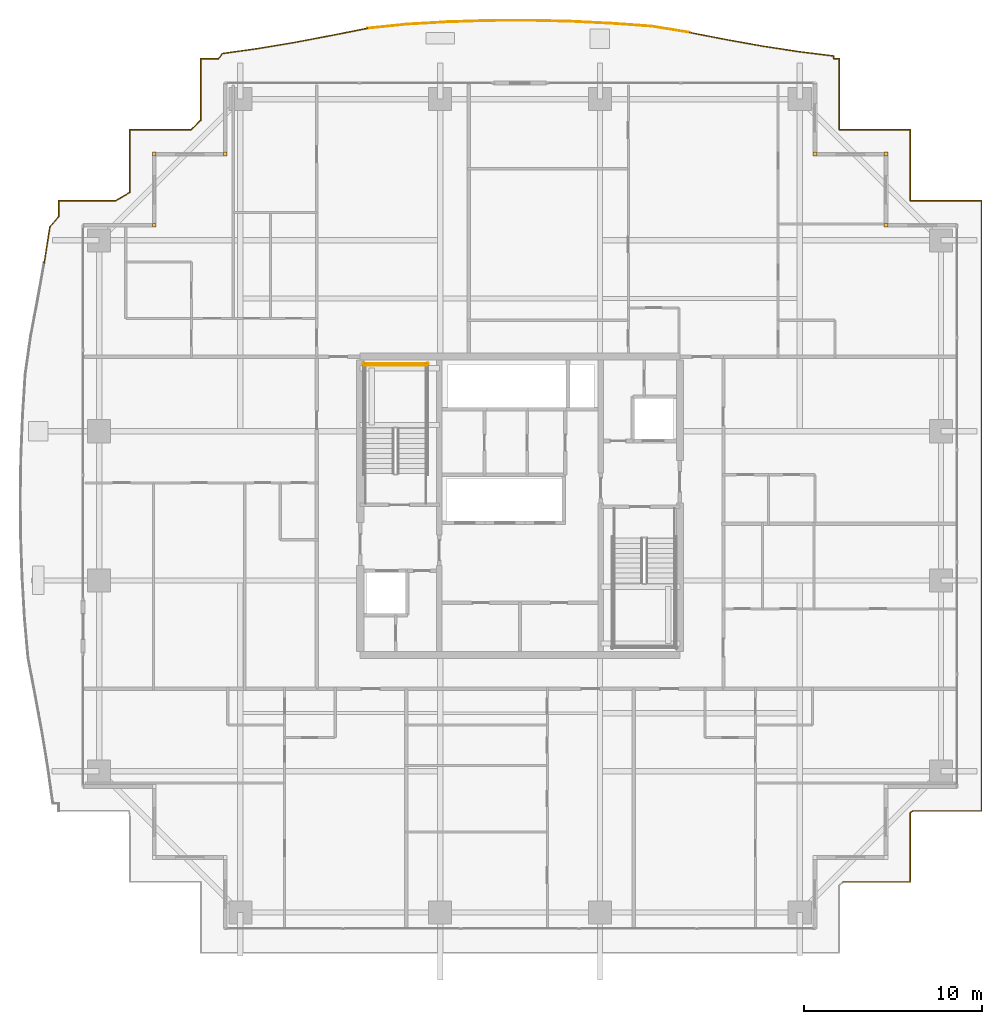
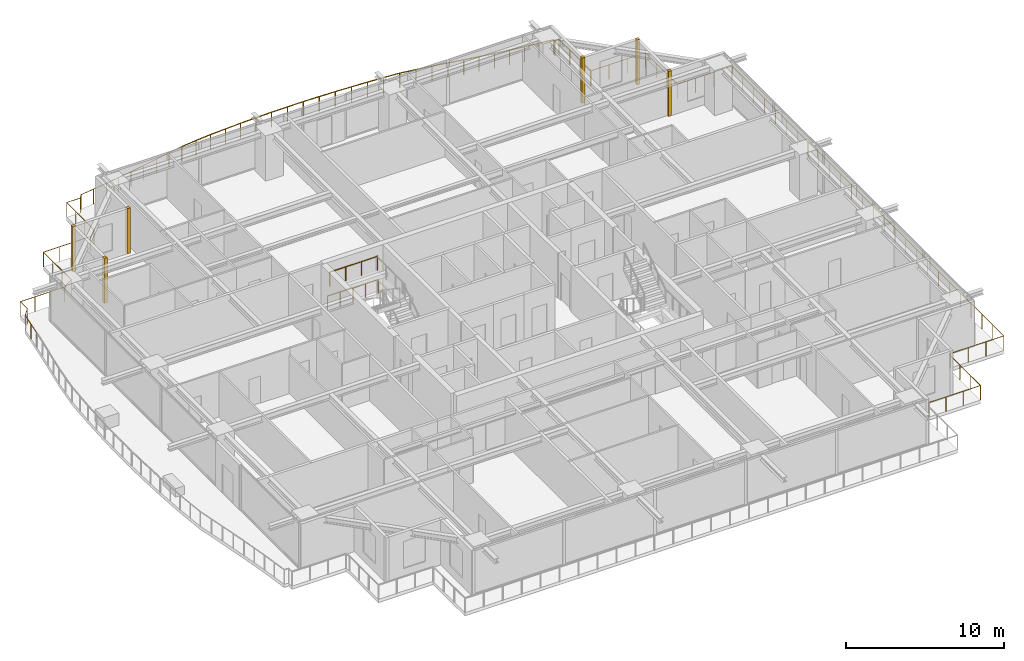
# One storey, part 37 of 37: 7 railings, 6 coverings.
"""IFC4 building model written with IfcOpenShell, lengths in metres."""

from ifc_helpers import new_model, si_unit, direction, frame, origin, origin_2d, place, context, subcontext, project, spatial, rectangle, circle, extrude, source, transform, mapped, material, layer, layer_set, type_object, element, save


model = new_model("IFC4")

# Units and contexts
model_context = context("Model", 3, precision=1e-05, world=origin(), true_north=direction((0.0, 1.0)))
body_context = subcontext(model_context, "Body", "Model", "MODEL_VIEW")
ifc_project = project(units=[si_unit("LENGTHUNIT", "METRE"), si_unit("AREAUNIT", "SQUARE_METRE"), si_unit("VOLUMEUNIT", "CUBIC_METRE"), si_unit("PLANEANGLEUNIT", "RADIAN"), si_unit("MASSUNIT", "GRAM", prefix="KILO")], contexts=[model_context])

# Site, building, storey
site_placement = place(None, origin())
site = spatial("IfcSite", under=ifc_project, at=site_placement, CompositionType="ELEMENT")
building_placement = place(site_placement, origin())
building = spatial("IfcBuilding", under=site, at=building_placement, Name="Serunith Strait Residences", CompositionType="ELEMENT")
storey_placement = place(building_placement, frame((0.0, 0.0, 138.89990234375)))
storey = spatial("IfcBuildingStorey", under=building, at=storey_placement, Name="L34", CompositionType="ELEMENT", Elevation=138.89990234375)

# Railings
ifc_material_1 = material(Name="Stainless Steel & Laminated Glass Balustrade", Category="steel")
railing_type_1 = type_object("IfcRailingType", Name="RLG-BALC-1150", PredefinedType="BALUSTRADE", material=ifc_material_1)
railing_1_placement = place(storey_placement, frame((5.60595703125, 38.887451171875, -0.0498046875)))
element("IfcRailing", 1, at=railing_1_placement, inside=storey, type_object=railing_type_1, Name="L34 Swirling Balcony Perimeter Balustrade 3", PredefinedType="BALUSTRADE", context=body_context, shape_type="SweptSolid", body=[
    extrude(circle(Radius=0.02392578125, at=origin_2d()), frame((0.000244140625, 0.001953125, 1.1259765625), z_axis=(0.153787691922, 0.988103914481, 0.0), x_axis=(-0.988103914481, 0.153787691922, 0.0)), (0.0, 0.0, 1.0), 2.03125),
    extrude(circle(Radius=0.02392578125, at=origin_2d()), frame((0.314208984375, 2.012451171875, 1.1259765625), z_axis=(0.650164918252, 0.759793115969, 0.0), x_axis=(-0.759793115969, 0.650164918252, 0.0)), (0.0, 0.0, 1.0), 0.7666015625),
    extrude(circle(Radius=0.02392578125, at=origin_2d()), frame((0.81396484375, 2.598388671875, 1.1259765625), z_axis=(0.0, 1.0, 0.0), x_axis=(-1.0, 0.0, 0.0)), (0.0, 0.0, 1.0), 0.89208984375),
    extrude(circle(Radius=0.02392578125, at=origin_2d()), frame((0.81591796875, 3.492431640625, 1.1259765625), z_axis=(1.0, 0.0, 0.0), x_axis=(0.0, 1.0, 0.0)), (0.0, 0.0, 1.0), 3.203857421875),
    extrude(circle(Radius=0.02392578125, at=origin_2d()), frame((4.0234375, 3.493408203125, 1.1259765625), z_axis=(0.858774562998, 0.512353637585, 0.0), x_axis=(-0.512353637585, 0.858774562998, 0.0)), (0.0, 0.0, 1.0), 0.91845703125),
    extrude(circle(Radius=0.02392578125, at=origin_2d()), frame((4.81396484375, 3.967041015625, 1.1259765625), z_axis=(0.0, 1.0, 0.0), x_axis=(-1.0, 0.0, 0.0)), (0.0, 0.0, 1.0), 3.5234375),
    extrude(circle(Radius=0.02392578125, at=origin_2d()), frame((4.81591796875, 7.492431640625, 1.1259765625), z_axis=(1.0, 0.0, 0.0), x_axis=(0.0, 1.0, 0.0)), (0.0, 0.0, 1.0), 3.439697265625),
    extrude(circle(Radius=0.02099609375, at=origin_2d()), origin(), (0.0, 0.0, 1.0), 1.099853515625),
    extrude(circle(Radius=0.02099609375, at=origin_2d()), frame((0.156494140625, 1.00537109375, 0.0)), (0.0, 0.0, 1.0), 1.099853515625),
    extrude(circle(Radius=0.02099609375, at=origin_2d()), frame((0.31298828125, 2.010986328125, 0.0)), (0.0, 0.0, 1.0), 1.099853515625),
    extrude(circle(Radius=0.02099609375, at=origin_2d()), frame((0.81396484375, 2.596435546875, 0.0)), (0.0, 0.0, 1.0), 1.099853515625),
    extrude(circle(Radius=0.02099609375, at=origin_2d()), frame((0.81396484375, 3.492431640625, 0.0)), (0.0, 0.0, 1.0), 1.099853515625),
    extrude(circle(Radius=0.02099609375, at=origin_2d()), frame((1.88330078125, 3.492431640625, 0.0)), (0.0, 0.0, 1.0), 1.099853515625),
    extrude(circle(Radius=0.02099609375, at=origin_2d()), frame((2.952392578125, 3.492431640625, 0.0)), (0.0, 0.0, 1.0), 1.099853515625),
    extrude(circle(Radius=0.02099609375, at=origin_2d()), frame((4.021728515625, 3.492431640625, 0.0)), (0.0, 0.0, 1.0), 1.099853515625),
    extrude(circle(Radius=0.02099609375, at=origin_2d()), frame((4.81396484375, 3.965087890625, 0.0)), (0.0, 0.0, 1.0), 1.099853515625),
    extrude(circle(Radius=0.02099609375, at=origin_2d()), frame((4.81396484375, 5.140869140625, 0.0)), (0.0, 0.0, 1.0), 1.099853515625),
    extrude(circle(Radius=0.02099609375, at=origin_2d()), frame((4.81396484375, 6.316650390625, 0.0)), (0.0, 0.0, 1.0), 1.099853515625),
    extrude(circle(Radius=0.02099609375, at=origin_2d()), frame((4.81396484375, 7.492431640625, 0.0)), (0.0, 0.0, 1.0), 1.099853515625),
    extrude(circle(Radius=0.02099609375, at=origin_2d()), frame((5.9619140625, 7.492431640625, 0.0)), (0.0, 0.0, 1.0), 1.099853515625),
    extrude(circle(Radius=0.02099609375, at=origin_2d()), frame((7.109619140625, 7.492431640625, 0.0)), (0.0, 0.0, 1.0), 1.099853515625),
    extrude(circle(Radius=0.02099609375, at=origin_2d()), frame((8.257568359375, 7.492431640625, 0.0)), (0.0, 0.0, 1.0), 1.099853515625),
])
railing_2_placement = place(storey_placement, frame((13.863525390625, 46.3798828125, -0.0498046875)))
element("IfcRailing", 2, at=railing_2_placement, inside=storey, type_object=railing_type_1, Name="L34 Swirling Balcony Perimeter Balustrade 4", PredefinedType="BALUSTRADE", context=body_context, shape_type="SweptSolid", body=[
    extrude(circle(Radius=0.02392578125, at=origin_2d()), frame((0.00146484375, 0.00146484375, 1.1259765625), z_axis=(0.720255877632, 0.693708491181, 0.0), x_axis=(-0.693708491181, 0.720255877632, 0.0)), (0.0, 0.0, 1.0), 0.7685546875),
    extrude(circle(Radius=0.02392578125, at=origin_2d()), frame((0.556396484375, 0.537841796875, 1.1259765625), z_axis=(0.0, 1.0, 0.0), x_axis=(-1.0, 0.0, 0.0)), (0.0, 0.0, 1.0), 3.460205078125),
    extrude(circle(Radius=0.02392578125, at=origin_2d()), frame((0.558349609375, 4.0, 1.1259765625), z_axis=(1.0, 0.0, 0.0), x_axis=(0.0, 1.0, 0.0)), (0.0, 0.0, 1.0), 1.001220703125),
    extrude(circle(Radius=0.02392578125, at=origin_2d()), frame((1.562744140625, 4.001708984375, 1.1259765625), z_axis=(0.581625128642, 0.813456950141, 0.0), x_axis=(-0.813456950141, 0.581625128642, 0.0)), (0.0, 0.0, 1.0), 0.35400390625),
    extrude(circle(Radius=0.02392578125, at=origin_2d()), frame((1.771728515625, 4.29150390625, 1.1259765625), z_axis=(0.990370969074, 0.138438952666, 0.0), x_axis=(-0.138438952666, 0.990370969074, 0.0)), (0.0, 0.0, 1.0), 2.013427734375),
    extrude(circle(Radius=0.02392578125, at=origin_2d()), frame((3.769775390625, 4.57080078125, 1.1259765625), z_axis=(0.986274274514, 0.165115279222, 0.0), x_axis=(-0.165115279222, 0.986274274514, 0.0)), (0.0, 0.0, 1.0), 2.041015625),
    extrude(circle(Radius=0.02392578125, at=origin_2d()), frame((5.78662109375, 4.90869140625, 1.1259765625), z_axis=(0.982580046889, 0.185839854327, 0.0), x_axis=(-0.185839854327, 0.982580046889, 0.0)), (0.0, 0.0, 1.0), 2.086181640625),
    extrude(circle(Radius=0.02392578125, at=origin_2d()), frame((7.84033203125, 5.297119140625, 1.1259765625), z_axis=(0.981238471312, 0.192797983435, 0.0), x_axis=(-0.192797983435, 0.981238471312, 0.0)), (0.0, 0.0, 1.0), 2.1474609375),
    extrude(circle(Radius=0.02099609375, at=origin_2d()), origin(), (0.0, 0.0, 1.0), 1.099853515625),
    extrude(circle(Radius=0.02099609375, at=origin_2d()), frame((0.556396484375, 0.535888671875, 0.0)), (0.0, 0.0, 1.0), 1.099853515625),
    extrude(circle(Radius=0.02099609375, at=origin_2d()), frame((0.556396484375, 1.690673828125, 0.0)), (0.0, 0.0, 1.0), 1.099853515625),
    extrude(circle(Radius=0.02099609375, at=origin_2d()), frame((0.556396484375, 2.84521484375, 0.0)), (0.0, 0.0, 1.0), 1.099853515625),
    extrude(circle(Radius=0.02099609375, at=origin_2d()), frame((0.556396484375, 4.0, 0.0)), (0.0, 0.0, 1.0), 1.099853515625),
    extrude(circle(Radius=0.02099609375, at=origin_2d()), frame((1.5615234375, 4.0, 0.0)), (0.0, 0.0, 1.0), 1.099853515625),
    extrude(circle(Radius=0.02099609375, at=origin_2d()), frame((1.769775390625, 4.291259765625, 0.0)), (0.0, 0.0, 1.0), 1.099853515625),
    extrude(circle(Radius=0.02099609375, at=origin_2d()), frame((2.768798828125, 4.430908203125, 0.0)), (0.0, 0.0, 1.0), 1.099853515625),
    extrude(circle(Radius=0.02099609375, at=origin_2d()), frame((3.767822265625, 4.570556640625, 0.0)), (0.0, 0.0, 1.0), 1.099853515625),
    extrude(circle(Radius=0.02099609375, at=origin_2d()), frame((4.7763671875, 4.7392578125, 0.0)), (0.0, 0.0, 1.0), 1.099853515625),
    extrude(circle(Radius=0.02099609375, at=origin_2d()), frame((5.78466796875, 4.908203125, 0.0)), (0.0, 0.0, 1.0), 1.099853515625),
    extrude(circle(Radius=0.02099609375, at=origin_2d()), frame((6.8115234375, 5.1025390625, 0.0)), (0.0, 0.0, 1.0), 1.099853515625),
    extrude(circle(Radius=0.02099609375, at=origin_2d()), frame((7.83837890625, 5.296630859375, 0.0)), (0.0, 0.0, 1.0), 1.099853515625),
    extrude(circle(Radius=0.02099609375, at=origin_2d()), frame((8.89404296875, 5.50390625, 0.0)), (0.0, 0.0, 1.0), 1.099853515625),
    extrude(circle(Radius=0.02099609375, at=origin_2d()), frame((9.949462890625, 5.71142578125, 0.0)), (0.0, 0.0, 1.0), 1.099853515625),
])
railing_3_placement = place(storey_placement, frame((23.81298828125, 52.09130859375, -0.0498046875)))
element("IfcRailing", 3, at=railing_3_placement, inside=storey, type_object=railing_type_1, Name="L34 Swirling Balcony Perimeter Balustrade 5", PredefinedType="BALUSTRADE", context=body_context, shape_type="SweptSolid", body=[
    extrude(circle(Radius=0.02392578125, at=origin_2d()), frame((0.001953125, 0.000244140625, 1.1259765625), z_axis=(0.994721035738, 0.102616085776, 0.0), x_axis=(-0.102616085776, 0.994721035738, 0.0)), (0.0, 0.0, 1.0), 2.232421875),
    extrude(circle(Radius=0.02392578125, at=origin_2d()), frame((2.2265625, 0.2294921875, 1.1259765625), z_axis=(0.998391809382, 0.056690342723, 0.0), x_axis=(-0.056690342723, 0.998391809382, 0.0)), (0.0, 0.0, 1.0), 2.278564453125),
    extrude(circle(Radius=0.02392578125, at=origin_2d()), frame((4.50537109375, 0.35888671875, 1.1259765625), z_axis=(0.999491826626, 0.031876143231, 0.0), x_axis=(-0.031876143231, 0.999491826626, 0.0)), (0.0, 0.0, 1.0), 2.30126953125),
    extrude(circle(Radius=0.02392578125, at=origin_2d()), frame((6.8095703125, 0.432373046875, 1.1259765625), z_axis=(0.999990194289, 0.004428467752, 0.0), x_axis=(-0.004428467752, 0.999990194289, 0.0)), (0.0, 0.0, 1.0), 2.3115234375),
    extrude(circle(Radius=0.02392578125, at=origin_2d()), frame((9.125, 0.442626953125, 1.1259765625), z_axis=(0.999722450012, -0.023558924903, 0.0), x_axis=(0.023558924903, 0.999722450012, 0.0)), (0.0, 0.0, 1.0), 2.306884765625),
    extrude(circle(Radius=0.02392578125, at=origin_2d()), frame((11.435302734375, 0.38818359375, 1.1259765625), z_axis=(0.998784258708, -0.049295076408, 0.0), x_axis=(0.049295076408, 0.998784258708, 0.0)), (0.0, 0.0, 1.0), 2.2890625),
    extrude(circle(Radius=0.02392578125, at=origin_2d()), frame((13.7255859375, 0.27490234375, 1.1259765625), z_axis=(0.997478371903, -0.070971103883, 0.0), x_axis=(0.070971103883, 0.997478371903, 0.0)), (0.0, 0.0, 1.0), 2.259521484375),
    extrude(circle(Radius=0.02392578125, at=origin_2d()), frame((15.9833984375, 0.1142578125, 1.1259765625), z_axis=(0.987151119549, -0.159789446375, 0.0), x_axis=(0.159789446375, 0.987151119549, 0.0)), (0.0, 0.0, 1.0), 2.18701171875),
    extrude(circle(Radius=0.02099609375, at=origin_2d()), origin(), (0.0, 0.0, 1.0), 1.099853515625),
    extrude(circle(Radius=0.02099609375, at=origin_2d()), frame((1.1123046875, 0.11474609375, 0.0)), (0.0, 0.0, 1.0), 1.099853515625),
    extrude(circle(Radius=0.02099609375, at=origin_2d()), frame((2.224609375, 0.2294921875, 0.0)), (0.0, 0.0, 1.0), 1.099853515625),
    extrude(circle(Radius=0.02099609375, at=origin_2d()), frame((3.364013671875, 0.294189453125, 0.0)), (0.0, 0.0, 1.0), 1.099853515625),
    extrude(circle(Radius=0.02099609375, at=origin_2d()), frame((4.50341796875, 0.35888671875, 0.0)), (0.0, 0.0, 1.0), 1.099853515625),
    extrude(circle(Radius=0.02099609375, at=origin_2d()), frame((5.655517578125, 0.3955078125, 0.0)), (0.0, 0.0, 1.0), 1.099853515625),
    extrude(circle(Radius=0.02099609375, at=origin_2d()), frame((6.8076171875, 0.432373046875, 0.0)), (0.0, 0.0, 1.0), 1.099853515625),
    extrude(circle(Radius=0.02099609375, at=origin_2d()), frame((7.96533203125, 0.4375, 0.0)), (0.0, 0.0, 1.0), 1.099853515625),
    extrude(circle(Radius=0.02099609375, at=origin_2d()), frame((9.123046875, 0.442626953125, 0.0)), (0.0, 0.0, 1.0), 1.099853515625),
    extrude(circle(Radius=0.02099609375, at=origin_2d()), frame((10.2783203125, 0.41552734375, 0.0)), (0.0, 0.0, 1.0), 1.099853515625),
    extrude(circle(Radius=0.02099609375, at=origin_2d()), frame((11.433349609375, 0.38818359375, 0.0)), (0.0, 0.0, 1.0), 1.099853515625),
    extrude(circle(Radius=0.02099609375, at=origin_2d()), frame((12.57861328125, 0.33154296875, 0.0)), (0.0, 0.0, 1.0), 1.099853515625),
    extrude(circle(Radius=0.02099609375, at=origin_2d()), frame((13.7236328125, 0.275146484375, 0.0)), (0.0, 0.0, 1.0), 1.099853515625),
    extrude(circle(Radius=0.02099609375, at=origin_2d()), frame((14.8525390625, 0.19482421875, 0.0)), (0.0, 0.0, 1.0), 1.099853515625),
    extrude(circle(Radius=0.02099609375, at=origin_2d()), frame((15.9814453125, 0.114501953125, 0.0)), (0.0, 0.0, 1.0), 1.099853515625),
    extrude(circle(Radius=0.02099609375, at=origin_2d()), frame((17.06298828125, -0.060546875, 0.0)), (0.0, 0.0, 1.0), 1.099853515625),
    extrude(circle(Radius=0.02099609375, at=origin_2d()), frame((18.144287109375, -0.235595703125, 0.0)), (0.0, 0.0, 1.0), 1.099853515625),
])
railing_4_placement = place(storey_placement, frame((41.957275390625, 51.855712890625, -0.0498046875)))
element("IfcRailing", 4, at=railing_4_placement, inside=storey, type_object=railing_type_1, Name="L34 Swirling Balcony Perimeter Balustrade 6", PredefinedType="BALUSTRADE", context=body_context, shape_type="SweptSolid", body=[
    extrude(circle(Radius=0.02392578125, at=origin_2d()), frame((0.001953125, -0.00048828125, 1.1259765625), z_axis=(0.981522286024, -0.191347856113, 0.0), x_axis=(0.191347856113, 0.981522286024, 0.0)), (0.0, 0.0, 1.0), 2.114013671875),
    extrude(circle(Radius=0.02392578125, at=origin_2d()), frame((2.080810546875, -0.405517578125, 1.1259765625), z_axis=(0.98439906072, -0.175950246529, 0.0), x_axis=(0.175950246529, 0.98439906072, 0.0)), (0.0, 0.0, 1.0), 2.060791015625),
    extrude(circle(Radius=0.02392578125, at=origin_2d()), frame((4.11328125, -0.768798828125, 1.1259765625), z_axis=(0.988533874031, -0.150999271167, 0.0), x_axis=(0.150999271167, 0.988533874031, 0.0)), (0.0, 0.0, 1.0), 2.025146484375),
    extrude(circle(Radius=0.02392578125, at=origin_2d()), frame((6.119140625, -1.0751953125, 1.1259765625), z_axis=(0.992387726213, -0.123152754177, 0.0), x_axis=(0.123152754177, 0.992387726213, 0.0)), (0.0, 0.0, 1.0), 2.006103515625),
    extrude(circle(Radius=0.02392578125, at=origin_2d()), frame((8.112060546875, -1.324462890625, 1.1259765625), z_axis=(-0.007961531103, -0.999968306509, 0.0), x_axis=(0.999968306509, -0.007961531103, 0.0)), (0.0, 0.0, 1.0), 0.1494140625),
    extrude(circle(Radius=0.02392578125, at=origin_2d()), frame((8.11279296875, -1.475830078125, 1.1259765625), z_axis=(1.0, 0.0, 0.0), x_axis=(0.0, 1.0, 0.0)), (0.0, 0.0, 1.0), 0.307861328125),
    extrude(circle(Radius=0.02392578125, at=origin_2d()), frame((8.422607421875, -1.477783203125, 1.1259765625), z_axis=(0.0, -1.0, 0.0), x_axis=(1.0, 0.0, 0.0)), (0.0, 0.0, 1.0), 3.99609375),
    extrude(circle(Radius=0.02099609375, at=origin_2d()), origin(), (0.0, 0.0, 1.0), 1.099853515625),
    extrude(circle(Radius=0.02099609375, at=origin_2d()), frame((1.03955078125, -0.20263671875, 0.0)), (0.0, 0.0, 1.0), 1.099853515625),
    extrude(circle(Radius=0.02099609375, at=origin_2d()), frame((2.078857421875, -0.4052734375, 0.0)), (0.0, 0.0, 1.0), 1.099853515625),
    extrude(circle(Radius=0.02099609375, at=origin_2d()), frame((3.09521484375, -0.5869140625, 0.0)), (0.0, 0.0, 1.0), 1.099853515625),
    extrude(circle(Radius=0.02099609375, at=origin_2d()), frame((4.111328125, -0.7685546875, 0.0)), (0.0, 0.0, 1.0), 1.099853515625),
    extrude(circle(Radius=0.02099609375, at=origin_2d()), frame((5.1142578125, -0.921875, 0.0)), (0.0, 0.0, 1.0), 1.099853515625),
    extrude(circle(Radius=0.02099609375, at=origin_2d()), frame((6.1171875, -1.074951171875, 0.0)), (0.0, 0.0, 1.0), 1.099853515625),
    extrude(circle(Radius=0.02099609375, at=origin_2d()), frame((7.11474609375, -1.19873046875, 0.0)), (0.0, 0.0, 1.0), 1.099853515625),
    extrude(circle(Radius=0.02099609375, at=origin_2d()), frame((8.112060546875, -1.322509765625, 0.0)), (0.0, 0.0, 1.0), 1.099853515625),
    extrude(circle(Radius=0.02099609375, at=origin_2d()), frame((8.11083984375, -1.475830078125, 0.0)), (0.0, 0.0, 1.0), 1.099853515625),
    extrude(circle(Radius=0.02099609375, at=origin_2d()), frame((8.422607421875, -1.475830078125, 0.0)), (0.0, 0.0, 1.0), 1.099853515625),
    extrude(circle(Radius=0.02099609375, at=origin_2d()), frame((8.422607421875, -2.80908203125, 0.0)), (0.0, 0.0, 1.0), 1.099853515625),
    extrude(circle(Radius=0.02099609375, at=origin_2d()), frame((8.422607421875, -4.142578125, 0.0)), (0.0, 0.0, 1.0), 1.099853515625),
    extrude(circle(Radius=0.02099609375, at=origin_2d()), frame((8.422607421875, -5.475830078125, 0.0)), (0.0, 0.0, 1.0), 1.099853515625),
])
railing_5_placement = place(storey_placement, frame((50.3798828125, 46.3798828125, -0.0498046875)))
element("IfcRailing", 5, at=railing_5_placement, inside=storey, type_object=railing_type_1, Name="L34 Swirling Balcony Perimeter Balustrade 7", PredefinedType="BALUSTRADE", context=body_context, shape_type="SweptSolid", body=[
    extrude(circle(Radius=0.02392578125, at=origin_2d()), frame((0.001953125, 0.0, 1.1259765625), z_axis=(1.0, 0.0, 0.0), x_axis=(0.0, 1.0, 0.0)), (0.0, 0.0, 1.0), 3.99609375),
    extrude(circle(Radius=0.02392578125, at=origin_2d()), frame((4.0, -0.001953125, 1.1259765625), z_axis=(0.0, -1.0, 0.0), x_axis=(1.0, 0.0, 0.0)), (0.0, 0.0, 1.0), 3.99609375),
    extrude(circle(Radius=0.02392578125, at=origin_2d()), frame((4.001953125, -4.0, 1.1259765625), z_axis=(1.0, 0.0, 0.0), x_axis=(0.0, 1.0, 0.0)), (0.0, 0.0, 1.0), 3.99609375),
    extrude(circle(Radius=0.02392578125, at=origin_2d()), frame((8.0, -4.001953125, 1.1259765625), z_axis=(0.0, -1.0, 0.0), x_axis=(1.0, 0.0, 0.0)), (0.0, 0.0, 1.0), 34.35595703125),
    extrude(circle(Radius=0.02392578125, at=origin_2d()), frame((7.998046875, -38.35986328125, 1.1259765625), z_axis=(-1.0, 0.0, 0.0), x_axis=(0.0, -1.0, 0.0)), (0.0, 0.0, 1.0), 3.86083984375),
    extrude(circle(Radius=0.02392578125, at=origin_2d()), frame((4.133544921875, -38.361083984375, 1.1259765625), z_axis=(-0.809367380782, -0.587302684249, 0.0), x_axis=(0.587302684249, -0.809367380782, 0.0)), (0.0, 0.0, 1.0), 0.1630859375),
    extrude(circle(Radius=0.02392578125, at=origin_2d()), frame((4.0, -38.4599609375, 1.1259765625), z_axis=(0.0, -1.0, 0.0), x_axis=(1.0, 0.0, 0.0)), (0.0, 0.0, 1.0), 3.89794921875),
    extrude(circle(Radius=0.02392578125, at=origin_2d()), frame((3.998046875, -42.35986328125, 1.1259765625), z_axis=(-1.0, 0.0, 0.0), x_axis=(0.0, -1.0, 0.0)), (0.0, 0.0, 1.0), 3.774169921875),
    extrude(circle(Radius=0.02099609375, at=origin_2d()), origin(), (0.0, 0.0, 1.0), 1.099853515625),
    extrude(circle(Radius=0.02099609375, at=origin_2d()), frame((1.333251953125, 0.0, 0.0)), (0.0, 0.0, 1.0), 1.099853515625),
    extrude(circle(Radius=0.02099609375, at=origin_2d()), frame((2.666748046875, 0.0, 0.0)), (0.0, 0.0, 1.0), 1.099853515625),
    extrude(circle(Radius=0.02099609375, at=origin_2d()), frame((4.0, 0.0, 0.0)), (0.0, 0.0, 1.0), 1.099853515625),
    extrude(circle(Radius=0.02099609375, at=origin_2d()), frame((4.0, -1.333251953125, 0.0)), (0.0, 0.0, 1.0), 1.099853515625),
    extrude(circle(Radius=0.02099609375, at=origin_2d()), frame((4.0, -2.666748046875, 0.0)), (0.0, 0.0, 1.0), 1.099853515625),
    extrude(circle(Radius=0.02099609375, at=origin_2d()), frame((4.0, -4.0, 0.0)), (0.0, 0.0, 1.0), 1.099853515625),
    extrude(circle(Radius=0.02099609375, at=origin_2d()), frame((5.333251953125, -4.0, 0.0)), (0.0, 0.0, 1.0), 1.099853515625),
    extrude(circle(Radius=0.02099609375, at=origin_2d()), frame((6.666748046875, -4.0, 0.0)), (0.0, 0.0, 1.0), 1.099853515625),
    extrude(circle(Radius=0.02099609375, at=origin_2d()), frame((8.0, -4.0, 0.0)), (0.0, 0.0, 1.0), 1.099853515625),
    extrude(circle(Radius=0.02099609375, at=origin_2d()), frame((8.0, -5.37451171875, 0.0)), (0.0, 0.0, 1.0), 1.099853515625),
    extrude(circle(Radius=0.02099609375, at=origin_2d()), frame((8.0, -6.748779296875, 0.0)), (0.0, 0.0, 1.0), 1.099853515625),
    extrude(circle(Radius=0.02099609375, at=origin_2d()), frame((8.0, -8.123291015625, 0.0)), (0.0, 0.0, 1.0), 1.099853515625),
    extrude(circle(Radius=0.02099609375, at=origin_2d()), frame((8.0, -9.49755859375, 0.0)), (0.0, 0.0, 1.0), 1.099853515625),
    extrude(circle(Radius=0.02099609375, at=origin_2d()), frame((8.0, -10.8720703125, 0.0)), (0.0, 0.0, 1.0), 1.099853515625),
    extrude(circle(Radius=0.02099609375, at=origin_2d()), frame((8.0, -12.246337890625, 0.0)), (0.0, 0.0, 1.0), 1.099853515625),
    extrude(circle(Radius=0.02099609375, at=origin_2d()), frame((8.0, -13.620849609375, 0.0)), (0.0, 0.0, 1.0), 1.099853515625),
    extrude(circle(Radius=0.02099609375, at=origin_2d()), frame((8.0, -14.9951171875, 0.0)), (0.0, 0.0, 1.0), 1.099853515625),
    extrude(circle(Radius=0.02099609375, at=origin_2d()), frame((8.0, -16.36962890625, 0.0)), (0.0, 0.0, 1.0), 1.099853515625),
    extrude(circle(Radius=0.02099609375, at=origin_2d()), frame((8.0, -17.743896484375, 0.0)), (0.0, 0.0, 1.0), 1.099853515625),
    extrude(circle(Radius=0.02099609375, at=origin_2d()), frame((8.0, -19.118408203125, 0.0)), (0.0, 0.0, 1.0), 1.099853515625),
    extrude(circle(Radius=0.02099609375, at=origin_2d()), frame((8.0, -20.49267578125, 0.0)), (0.0, 0.0, 1.0), 1.099853515625),
    extrude(circle(Radius=0.02099609375, at=origin_2d()), frame((8.0, -21.8671875, 0.0)), (0.0, 0.0, 1.0), 1.099853515625),
    extrude(circle(Radius=0.02099609375, at=origin_2d()), frame((8.0, -23.241455078125, 0.0)), (0.0, 0.0, 1.0), 1.099853515625),
    extrude(circle(Radius=0.02099609375, at=origin_2d()), frame((8.0, -24.615966796875, 0.0)), (0.0, 0.0, 1.0), 1.099853515625),
    extrude(circle(Radius=0.02099609375, at=origin_2d()), frame((8.0, -25.990234375, 0.0)), (0.0, 0.0, 1.0), 1.099853515625),
    extrude(circle(Radius=0.02099609375, at=origin_2d()), frame((8.0, -27.36474609375, 0.0)), (0.0, 0.0, 1.0), 1.099853515625),
    extrude(circle(Radius=0.02099609375, at=origin_2d()), frame((8.0, -28.739013671875, 0.0)), (0.0, 0.0, 1.0), 1.099853515625),
    extrude(circle(Radius=0.02099609375, at=origin_2d()), frame((8.0, -30.113525390625, 0.0)), (0.0, 0.0, 1.0), 1.099853515625),
    extrude(circle(Radius=0.02099609375, at=origin_2d()), frame((8.0, -31.48779296875, 0.0)), (0.0, 0.0, 1.0), 1.099853515625),
    extrude(circle(Radius=0.02099609375, at=origin_2d()), frame((8.0, -32.8623046875, 0.0)), (0.0, 0.0, 1.0), 1.099853515625),
    extrude(circle(Radius=0.02099609375, at=origin_2d()), frame((8.0, -34.236572265625, 0.0)), (0.0, 0.0, 1.0), 1.099853515625),
    extrude(circle(Radius=0.02099609375, at=origin_2d()), frame((8.0, -35.611083984375, 0.0)), (0.0, 0.0, 1.0), 1.099853515625),
    extrude(circle(Radius=0.02099609375, at=origin_2d()), frame((8.0, -36.9853515625, 0.0)), (0.0, 0.0, 1.0), 1.099853515625),
    extrude(circle(Radius=0.02099609375, at=origin_2d()), frame((8.0, -38.35986328125, 0.0)), (0.0, 0.0, 1.0), 1.099853515625),
    extrude(circle(Radius=0.02099609375, at=origin_2d()), frame((6.711669921875, -38.35986328125, 0.0)), (0.0, 0.0, 1.0), 1.099853515625),
    extrude(circle(Radius=0.02099609375, at=origin_2d()), frame((5.423583984375, -38.35986328125, 0.0)), (0.0, 0.0, 1.0), 1.099853515625),
    extrude(circle(Radius=0.02099609375, at=origin_2d()), frame((4.13525390625, -38.35986328125, 0.0)), (0.0, 0.0, 1.0), 1.099853515625),
    extrude(circle(Radius=0.02099609375, at=origin_2d()), frame((4.0, -38.4580078125, 0.0)), (0.0, 0.0, 1.0), 1.099853515625),
    extrude(circle(Radius=0.02099609375, at=origin_2d()), frame((4.0, -39.758544921875, 0.0)), (0.0, 0.0, 1.0), 1.099853515625),
    extrude(circle(Radius=0.02099609375, at=origin_2d()), frame((4.0, -41.059326171875, 0.0)), (0.0, 0.0, 1.0), 1.099853515625),
    extrude(circle(Radius=0.02099609375, at=origin_2d()), frame((4.0, -42.35986328125, 0.0)), (0.0, 0.0, 1.0), 1.099853515625),
    extrude(circle(Radius=0.02099609375, at=origin_2d()), frame((2.74072265625, -42.35986328125, 0.0)), (0.0, 0.0, 1.0), 1.099853515625),
    extrude(circle(Radius=0.02099609375, at=origin_2d()), frame((1.481201171875, -42.35986328125, 0.0)), (0.0, 0.0, 1.0), 1.099853515625),
    extrude(circle(Radius=0.02099609375, at=origin_2d()), frame((0.221923828125, -42.35986328125, 0.0)), (0.0, 0.0, 1.0), 1.099853515625),
])
ifc_material_2 = material(Name="Brushed stainless steel 316L", Category="steel")
railing_type_2 = type_object("IfcRailingType", Name="RLG-STAIR-GUARD", PredefinedType="BALUSTRADE", material=ifc_material_2)
railing_6_placement = place(storey_placement, frame((27.14990234375, 33.10009765625, 1.875)))
element("IfcRailing", 6, at=railing_6_placement, inside=storey, type_object=railing_type_2, Name="L34 ST-1 stair guard 5", PredefinedType="BALUSTRADE", context=body_context, shape_type="SweptSolid", body=[
    extrude(circle(Radius=0.02392578125, at=origin_2d()), frame((-0.001953125, 0.0, 1.076171875), z_axis=(-1.0, 0.0, 0.0), x_axis=(0.0, -1.0, 0.0)), (0.0, 0.0, 1.0), 3.49609375),
    extrude(circle(Radius=0.02099609375, at=origin_2d()), origin(), (0.0, 0.0, 1.0), 1.050048828125),
    extrude(circle(Radius=0.02099609375, at=origin_2d()), frame((-1.166748046875, 0.0, 0.0)), (0.0, 0.0, 1.0), 1.050048828125),
    extrude(circle(Radius=0.02099609375, at=origin_2d()), frame((-2.333251953125, 0.0, 0.0)), (0.0, 0.0, 1.0), 1.050048828125),
    extrude(circle(Radius=0.02099609375, at=origin_2d()), frame((-3.5, 0.0, 0.0)), (0.0, 0.0, 1.0), 1.050048828125),
])
railing_7_placement = place(storey_placement, frame((27.25, 33.199951171875, 0.0)))
element("IfcRailing", 7, at=railing_7_placement, inside=storey, type_object=railing_type_2, Name="L34 ST-1 stair guard 12", PredefinedType="BALUSTRADE", context=body_context, shape_type="SweptSolid", body=[
    extrude(circle(Radius=0.02392578125, at=origin_2d()), frame((-0.001953125, 0.0, 1.076171875), z_axis=(-1.0, 0.0, 0.0), x_axis=(0.0, -1.0, 0.0)), (0.0, 0.0, 1.0), 3.696044921875),
    extrude(circle(Radius=0.02099609375, at=origin_2d()), origin(), (0.0, 0.0, 1.0), 1.050048828125),
    extrude(circle(Radius=0.02099609375, at=origin_2d()), frame((-0.925048828125, 0.0, 0.0)), (0.0, 0.0, 1.0), 1.050048828125),
    extrude(circle(Radius=0.02099609375, at=origin_2d()), frame((-1.85009765625, 0.0, 0.0)), (0.0, 0.0, 1.0), 1.050048828125),
    extrude(circle(Radius=0.02099609375, at=origin_2d()), frame((-2.77490234375, 0.0, 0.0)), (0.0, 0.0, 1.0), 1.050048828125),
    extrude(circle(Radius=0.02099609375, at=origin_2d()), frame((-3.699951171875, 0.0, 0.0)), (0.0, 0.0, 1.0), 1.050048828125),
])

# Coverings
ifc_material_3 = material(Name="Pale-Champagne Anodised Aluminium", Category="aluminium")
ifc_layer = layer(ifc_material_3, 0.219970703125, Name="Pale-Champagne Anodised Aluminium")
ifc_layer_set = layer_set([ifc_layer], Name="Pale-Champagne Anodised Aluminium")
covering_type = type_object("IfcCoveringType", Name="COV-CORN-TRIM", PredefinedType="CLADDING", material=ifc_layer_set)
shared_shape = source(origin(), body_context, "Body", "SweptSolid", [
    extrude(rectangle(XDim=0.221923828125, YDim=0.221923828125, at=origin_2d()), origin(), (0.0, 0.0, 1.0), 3.47509765625),
])
for number, where, z_axis, x_axis, name in (
    (8, (53.0, 41.0, 0.0), (0.0, 0.0, 1.0), (1.0, 0.0, 0.0), "L34 Girih Serrated Corner Trim Post 07"),
    (9, (53.0, 45.0, 0.0), (0.0, 0.0, 1.0), (1.0, 0.0, 0.0), "L34 Girih Serrated Corner Trim Post 08"),
    (10, (49.0, 45.0, 0.0), (0.0, 0.0, 1.0), (1.0, 0.0, 0.0), "L34 Girih Serrated Corner Trim Post 09"),
    (11, (15.800048828125, 45.0, 0.0), (0.0, 0.0, 1.0), (1.0, 0.0, 0.0), "L34 Girih Serrated Corner Trim Post 12"),
    (12, (11.800048828125, 45.0, 0.0), (0.0, 0.0, 1.0), (1.0, 0.0, 0.0), "L34 Girih Serrated Corner Trim Post 13"),
    (13, (11.800048828125, 41.0, 0.0), (0.0, 0.0, 1.0), (1.0, 0.0, 0.0), "L34 Girih Serrated Corner Trim Post 14"),
):
    element("IfcCovering", number, at=place(storey_placement, frame(where, z_axis=z_axis, x_axis=x_axis)), inside=storey, type_object=covering_type, Name=name, PredefinedType="CLADDING", context=body_context, shape_type="MappedRepresentation", body=[
        mapped(shared_shape, transform((0.0, 0.0, 0.0), scale=1.0)),
    ])

save(model, "model.ifc")
